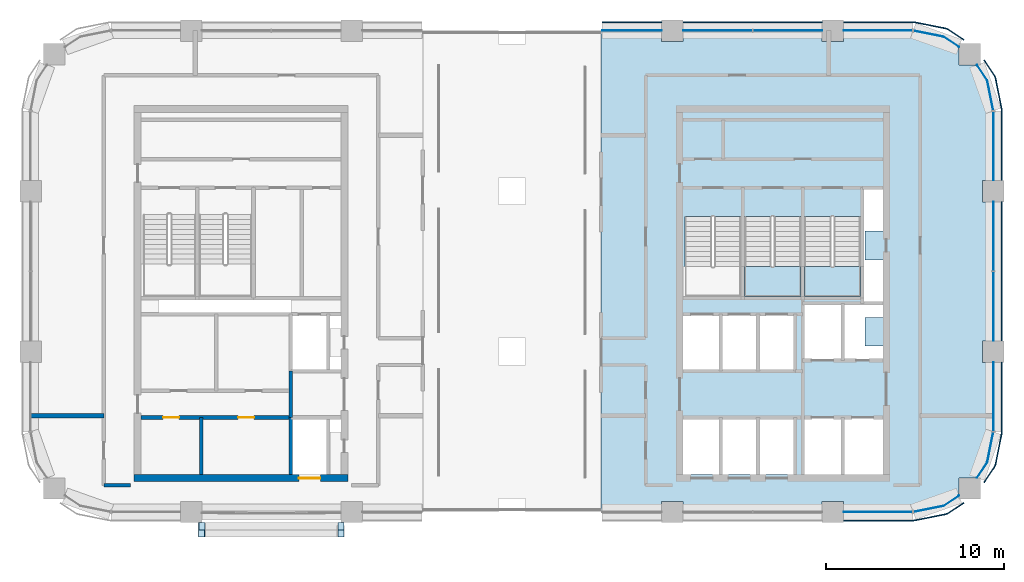
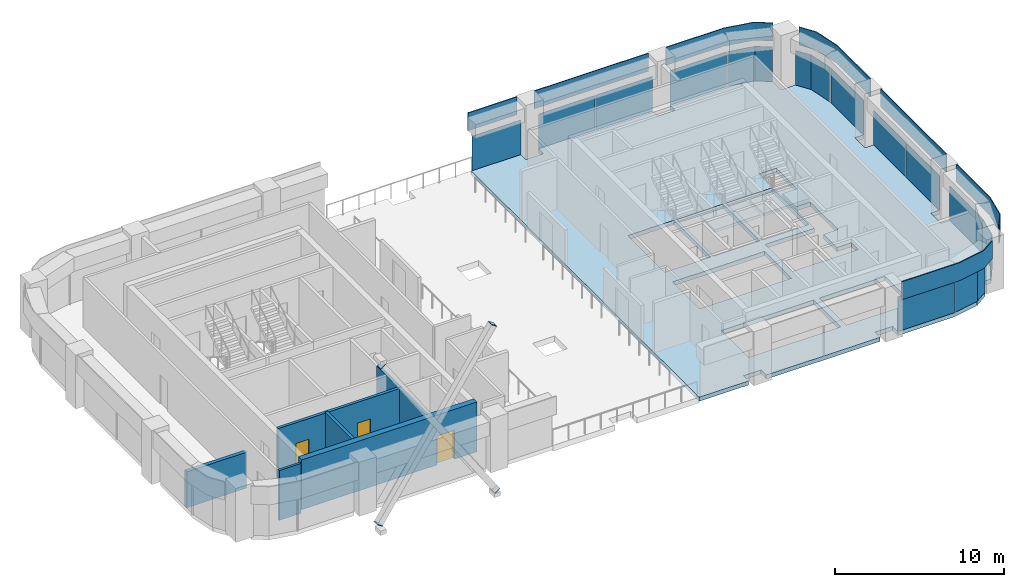
# One storey, part 5 of 11: 24 plates, 7 walls, 3 doors, 3 slabs, 3 openings, 9 elements without a shape of their own.
"""IFC4 building model written with IfcOpenShell, lengths in metres."""

from ifc_helpers import new_model, si_unit, direction, frame, frame_2d, origin, origin_2d, place, context, subcontext, project, spatial, polyline, rectangle, outline, extrude, material, layer, layer_set, type_object, element, fill, aggregate, save


model = new_model("IFC4")

# Units and contexts
model_context = context("Model", 3, precision=1e-05, world=origin(), true_north=direction((0.0, 1.0)))
body_context = subcontext(model_context, "Body", "Model", "MODEL_VIEW")
ifc_project = project(units=[si_unit("LENGTHUNIT", "METRE"), si_unit("AREAUNIT", "SQUARE_METRE"), si_unit("VOLUMEUNIT", "CUBIC_METRE"), si_unit("PLANEANGLEUNIT", "RADIAN"), si_unit("MASSUNIT", "GRAM", prefix="KILO")], contexts=[model_context])

# Site, building, storey
site_placement = place(None, origin())
site = spatial("IfcSite", under=ifc_project, at=site_placement, CompositionType="ELEMENT")
building_placement = place(site_placement, origin())
building = spatial("IfcBuilding", under=site, at=building_placement, Name="Tessera Arch", CompositionType="ELEMENT")
storey_placement = place(building_placement, frame((0.0, 0.0, 203.300048828125)))
storey = spatial("IfcBuildingStorey", under=building, at=storey_placement, Name="L48", CompositionType="ELEMENT", Elevation=203.300048828125)

# Curtain wall, plates
ifc_material_1 = material(Name="CW1 curtain wall")
curtain_wall_type_1 = type_object("IfcCurtainWallType", Name="CW1 curtain wall", PredefinedType="NOTDEFINED", material=ifc_material_1)
curtain_wall_1_placement = place(storey_placement, origin())
curtain_wall_1 = element("IfcCurtainWall", 1, at=curtain_wall_1_placement, inside=storey, type_object=curtain_wall_type_1, Name="CW1 curtain wall E54.27/1 L48", PredefinedType="NOTDEFINED")
ifc_material_2 = material(Name="Clear low-e glass", Category="glass")
ifc_material_3 = material(Name="Clear low-e glass", Category="glass")
ifc_layer_1 = layer(ifc_material_3, 0.028076171875)
ifc_layer_set_1 = layer_set([ifc_layer_1], Name="CW1 glass panel")
plate_type_1 = type_object("IfcPlateType", Name="CW1 glass panel", PredefinedType="CURTAIN_PANEL", material=ifc_layer_set_1)
plate_1_placement = place(storey_placement, frame((54.0, 38.534912109375, 0.0), z_axis=(0.0, 0.0, 1.0), x_axis=(0.0, 1.0, 0.0)))
plate_1 = element("IfcPlate", 2, at=plate_1_placement, type_object=plate_type_1, material=ifc_material_2, Name="CW1 glass panel E54.27/1 1.1.1", PredefinedType="CURTAIN_PANEL", context=body_context, shape_type="SweptSolid", body=[
    extrude(rectangle(XDim=3.8701171875, YDim=0.028076171875, at=origin_2d()), origin(), (0.0, 0.0, 1.0), 2.5),
])
plate_2_placement = place(storey_placement, frame((54.0, 42.465087890625, 0.0), z_axis=(0.0, 0.0, 1.0), x_axis=(0.0, 1.0, 0.0)))
plate_2 = element("IfcPlate", 3, at=plate_2_placement, type_object=plate_type_1, material=ifc_material_2, Name="CW1 glass panel E54.27/1 1.2.1", PredefinedType="CURTAIN_PANEL", context=body_context, shape_type="SweptSolid", body=[
    extrude(rectangle(XDim=3.8701171875, YDim=0.028076171875, at=origin_2d()), origin(), (0.0, 0.0, 1.0), 2.5),
])

curtain_wall_2_placement = place(storey_placement, origin())
curtain_wall_2 = element("IfcCurtainWall", 4, at=curtain_wall_2_placement, inside=storey, type_object=curtain_wall_type_1, Name="CW1 curtain wall N54.32/1 L48", PredefinedType="NOTDEFINED")
plate_3_placement = place(storey_placement, frame((42.465087890625, 54.0, 0.0), z_axis=(0.0, 0.0, 1.0), x_axis=(-1.0, 0.0, 0.0)))
plate_3 = element("IfcPlate", 5, at=plate_3_placement, type_object=plate_type_1, material=ifc_material_2, Name="CW1 glass panel N54.32/1 1.1.1", PredefinedType="CURTAIN_PANEL", context=body_context, shape_type="SweptSolid", body=[
    extrude(rectangle(XDim=3.8701171875, YDim=0.028076171875, at=origin_2d()), origin(), (0.0, 0.0, 1.0), 2.5),
])
plate_4_placement = place(storey_placement, frame((38.534912109375, 54.0, 0.0), z_axis=(0.0, 0.0, 1.0), x_axis=(-1.0, 0.0, 0.0)))
plate_4 = element("IfcPlate", 6, at=plate_4_placement, type_object=plate_type_1, material=ifc_material_2, Name="CW1 glass panel N54.32/1 1.2.1", PredefinedType="CURTAIN_PANEL", context=body_context, shape_type="SweptSolid", body=[
    extrude(rectangle(XDim=3.8701171875, YDim=0.028076171875, at=origin_2d()), origin(), (0.0, 0.0, 1.0), 2.5),
])

# Curtain wall, plate
curtain_wall_3_placement = place(storey_placement, origin())
curtain_wall_3 = element("IfcCurtainWall", 7, at=curtain_wall_3_placement, inside=storey, type_object=curtain_wall_type_1, Name="CW1 curtain wall N54.32/2 L48", PredefinedType="NOTDEFINED")
plate_5_placement = place(storey_placement, frame((33.72509765625, 54.0, 0.0), z_axis=(0.0, 0.0, 1.0), x_axis=(-1.0, 0.0, 0.0)))
plate_5 = element("IfcPlate", 8, at=plate_5_placement, type_object=plate_type_1, material=ifc_material_2, Name="CW1 glass panel N54.32/2 1.1.1", PredefinedType="CURTAIN_PANEL", context=body_context, shape_type="SweptSolid", body=[
    extrude(rectangle(XDim=3.35009765625, YDim=0.028076171875, at=origin_2d()), origin(), (0.0, 0.0, 1.0), 2.5),
])

# Plate
ifc_material_4 = material(Name="Pale anodised aluminium panel", Category="aluminium")
ifc_layer_2 = layer(ifc_material_4, 0.06005859375)
ifc_layer_set_2 = layer_set([ifc_layer_2], Name="CW1 spandrel panel")
plate_type_2 = type_object("IfcPlateType", Name="CW1 spandrel panel", PredefinedType="CURTAIN_PANEL", material=ifc_layer_set_2)
plate_6_placement = place(storey_placement, frame((54.47998046875, 40.5, 2.60009765625), z_axis=(0.0, 0.0, 1.0), x_axis=(0.0, 1.0, 0.0)))
plate_6 = element("IfcPlate", 9, at=plate_6_placement, type_object=plate_type_2, Name="CW1 spandrel panel E54.27/1", PredefinedType="CURTAIN_PANEL", context=body_context, shape_type="SweptSolid", body=[
    extrude(rectangle(XDim=7.800048828125, YDim=0.06005859375, at=origin_2d()), origin(), (0.0, 0.0, 1.0), 1.300048828125),
])

aggregate(curtain_wall_1, [plate_1, plate_2, plate_6])

plate_7_placement = place(storey_placement, frame((40.5, 54.47998046875, 2.60009765625), z_axis=(0.0, 0.0, 1.0), x_axis=(-1.0, 0.0, 0.0)))
plate_7 = element("IfcPlate", 10, at=plate_7_placement, type_object=plate_type_2, Name="CW1 spandrel panel N54.32/1", PredefinedType="CURTAIN_PANEL", context=body_context, shape_type="SweptSolid", body=[
    extrude(rectangle(XDim=7.800048828125, YDim=0.06005859375, at=origin_2d()), origin(), (0.0, 0.0, 1.0), 1.300048828125),
])

aggregate(curtain_wall_2, [plate_3, plate_4, plate_7])

plate_8_placement = place(storey_placement, frame((33.72509765625, 54.47998046875, 2.60009765625), z_axis=(0.0, 0.0, 1.0), x_axis=(-1.0, 0.0, 0.0)))
plate_8 = element("IfcPlate", 11, at=plate_8_placement, type_object=plate_type_2, Name="CW1 spandrel panel N54.32/2", PredefinedType="CURTAIN_PANEL", context=body_context, shape_type="SweptSolid", body=[
    extrude(rectangle(XDim=3.35009765625, YDim=0.06005859375, at=origin_2d()), origin(), (0.0, 0.0, 1.0), 1.300048828125),
])

aggregate(curtain_wall_3, [plate_5, plate_8])

# Curtain wall, plates
ifc_material_5 = material(Name="CW2 curtain wall")
curtain_wall_type_2 = type_object("IfcCurtainWallType", Name="CW2 curtain wall", PredefinedType="NOTDEFINED", material=ifc_material_5)
curtain_wall_4_placement = place(storey_placement, origin())
curtain_wall_4 = element("IfcCurtainWall", 12, at=curtain_wall_4_placement, inside=storey, type_object=curtain_wall_type_2, Name="CW2 curtain wall S27.32/2 L48", PredefinedType="NOTDEFINED")
ifc_material_6 = material(Name="Clear low-e glass", Category="glass")
ifc_layer_3 = layer(ifc_material_6, 0.028076171875)
ifc_layer_set_3 = layer_set([ifc_layer_3], Name="CW2 glass panel")
plate_type_3 = type_object("IfcPlateType", Name="CW2 glass panel", PredefinedType="CURTAIN_PANEL", material=ifc_layer_set_3)
plate_9_placement = place(storey_placement, frame((47.530029296875, 27.0, 0.0), z_axis=(0.0, 0.0, 1.0), x_axis=(1.0, 0.0, 0.0)))
plate_9 = element("IfcPlate", 13, at=plate_9_placement, type_object=plate_type_3, material=ifc_material_2, Name="CW2 glass panel S27.32/2 1.1", PredefinedType="CURTAIN_PANEL", context=body_context, shape_type="SweptSolid", body=[
    extrude(rectangle(XDim=3.860107421875, YDim=0.028076171875, at=origin_2d()), origin(), (0.0, 0.0, 1.0), 2.5),
])
plate_10_placement = place(storey_placement, origin())
plate_10 = element("IfcPlate", 14, at=plate_10_placement, type_object=plate_type_3, material=ifc_material_2, Name="CW2 curved glass panel S27.32/2 2.1", PredefinedType="CURTAIN_PANEL", context=body_context, shape_type="SweptSolid", body=[
    extrude(outline(polyline([(51.216552734375, 27.355712890625), (49.53662109375, 27.021484375), (49.5419921875, 26.994140625), (51.2275390625, 27.329345703125), (52.08984375, 27.905517578125), (52.07421875, 27.9287109375), (51.216552734375, 27.355712890625)])), origin(), (0.0, 0.0, 1.0), 2.5),
])

curtain_wall_5_placement = place(storey_placement, origin())
curtain_wall_5 = element("IfcCurtainWall", 15, at=curtain_wall_5_placement, inside=storey, type_object=curtain_wall_type_2, Name="CW2 curtain wall E54.27/0 L48", PredefinedType="NOTDEFINED")
plate_11_placement = place(storey_placement, frame((54.0, 33.469970703125, 0.0), z_axis=(0.0, 0.0, 1.0), x_axis=(0.0, 1.0, 0.0)))
plate_11 = element("IfcPlate", 16, at=plate_11_placement, type_object=plate_type_3, material=ifc_material_2, Name="CW2 glass panel E54.27/0 1.1", PredefinedType="CURTAIN_PANEL", context=body_context, shape_type="SweptSolid", body=[
    extrude(rectangle(XDim=3.860107421875, YDim=0.028076171875, at=origin_2d()), origin(), (0.0, 0.0, 1.0), 2.5),
])
plate_12_placement = place(storey_placement, origin())
plate_12 = element("IfcPlate", 17, at=plate_12_placement, type_object=plate_type_3, material=ifc_material_2, Name="CW2 curved glass panel E54.27/0 2.1", PredefinedType="CURTAIN_PANEL", context=body_context, shape_type="SweptSolid", body=[
    extrude(outline(polyline([(53.644287109375, 29.783447265625), (53.0712890625, 28.92578125), (53.094482421875, 28.91015625), (53.670654296875, 29.7724609375), (54.005859375, 31.4580078125), (53.978515625, 31.46337890625), (53.644287109375, 29.783447265625)])), origin(), (0.0, 0.0, 1.0), 2.5),
])

curtain_wall_6_placement = place(storey_placement, origin())
curtain_wall_6 = element("IfcCurtainWall", 18, at=curtain_wall_6_placement, inside=storey, type_object=curtain_wall_type_2, Name="CW2 curtain wall E54.27/2 L48", PredefinedType="NOTDEFINED")
plate_13_placement = place(storey_placement, frame((54.0, 47.530029296875, 0.0), z_axis=(0.0, 0.0, 1.0), x_axis=(0.0, 1.0, 0.0)))
plate_13 = element("IfcPlate", 19, at=plate_13_placement, type_object=plate_type_3, material=ifc_material_2, Name="CW2 glass panel E54.27/2 1.1", PredefinedType="CURTAIN_PANEL", context=body_context, shape_type="SweptSolid", body=[
    extrude(rectangle(XDim=3.860107421875, YDim=0.028076171875, at=origin_2d()), origin(), (0.0, 0.0, 1.0), 2.5),
])
plate_14_placement = place(storey_placement, origin())
plate_14 = element("IfcPlate", 20, at=plate_14_placement, type_object=plate_type_3, material=ifc_material_2, Name="CW2 curved glass panel E54.27/2 2.1", PredefinedType="CURTAIN_PANEL", context=body_context, shape_type="SweptSolid", body=[
    extrude(outline(polyline([(53.644287109375, 51.216552734375), (53.978515625, 49.53662109375), (54.005859375, 49.5419921875), (53.670654296875, 51.2275390625), (53.094482421875, 52.08984375), (53.0712890625, 52.07421875), (53.644287109375, 51.216552734375)])), origin(), (0.0, 0.0, 1.0), 2.5),
])

curtain_wall_7_placement = place(storey_placement, origin())
curtain_wall_7 = element("IfcCurtainWall", 21, at=curtain_wall_7_placement, inside=storey, type_object=curtain_wall_type_2, Name="CW2 curtain wall N54.32/0 L48", PredefinedType="NOTDEFINED")
plate_15_placement = place(storey_placement, frame((47.530029296875, 54.0, 0.0), z_axis=(0.0, 0.0, 1.0), x_axis=(-1.0, 0.0, 0.0)))
plate_15 = element("IfcPlate", 22, at=plate_15_placement, type_object=plate_type_3, material=ifc_material_2, Name="CW2 glass panel N54.32/0 1.1", PredefinedType="CURTAIN_PANEL", context=body_context, shape_type="SweptSolid", body=[
    extrude(rectangle(XDim=3.860107421875, YDim=0.028076171875, at=origin_2d()), origin(), (0.0, 0.0, 1.0), 2.5),
])
plate_16_placement = place(storey_placement, origin())
plate_16 = element("IfcPlate", 23, at=plate_16_placement, type_object=plate_type_3, material=ifc_material_2, Name="CW2 curved glass panel N54.32/0 2.1", PredefinedType="CURTAIN_PANEL", context=body_context, shape_type="SweptSolid", body=[
    extrude(outline(polyline([(51.216552734375, 53.644287109375), (52.07421875, 53.0712890625), (52.08984375, 53.094482421875), (51.2275390625, 53.670654296875), (49.5419921875, 54.005859375), (49.53662109375, 53.978515625), (51.216552734375, 53.644287109375)])), origin(), (0.0, 0.0, 1.0), 2.5),
])

# Plate
ifc_material_7 = material(Name="Pale anodised aluminium panel", Category="aluminium")
ifc_layer_4 = layer(ifc_material_7, 0.06005859375)
ifc_layer_set_4 = layer_set([ifc_layer_4], Name="CW2 spandrel panel")
plate_type_4 = type_object("IfcPlateType", Name="CW2 spandrel panel", PredefinedType="CURTAIN_PANEL", material=ifc_layer_set_4)
plate_17_placement = place(storey_placement, frame((0.0, 0.0, 2.599853515625)))
plate_17 = element("IfcPlate", 24, at=plate_17_placement, type_object=plate_type_4, Name="CW2 spandrel panel S27.32/2", PredefinedType="CURTAIN_PANEL", context=body_context, shape_type="SweptSolid", body=[
    extrude(outline(polyline([(49.499267578125, 26.550048828125), (45.60009765625, 26.550048828125), (45.60009765625, 26.489990234375), (49.500732421875, 26.489990234375), (49.550048828125, 26.492431640625), (49.598876953125, 26.499755859375), (51.322265625, 26.842529296875), (51.3701171875, 26.8544921875), (51.417236328125, 26.871337890625), (51.462646484375, 26.892578125), (51.5048828125, 26.91796875), (52.365234375, 27.4931640625), (52.33203125, 27.54296875), (51.47265625, 26.96875), (51.434326171875, 26.945556640625), (51.394287109375, 26.9267578125), (51.352783203125, 26.911865234375), (51.30908203125, 26.90087890625), (49.588623046875, 26.558837890625), (49.544189453125, 26.55224609375), (49.499267578125, 26.550048828125)])), origin(), (0.0, 0.0, 1.0), 1.300048828125),
])

aggregate(curtain_wall_4, [plate_9, plate_10, plate_17])

plate_18_placement = place(storey_placement, frame((0.0, 0.0, 2.599853515625)))
plate_18 = element("IfcPlate", 25, at=plate_18_placement, type_object=plate_type_4, Name="CW2 spandrel panel E54.27/0", PredefinedType="CURTAIN_PANEL", context=body_context, shape_type="SweptSolid", body=[
    extrude(outline(polyline([(54.03125, 29.52734375), (53.45703125, 28.66796875), (53.5068359375, 28.634765625), (54.08203125, 29.4951171875), (54.107421875, 29.537353515625), (54.128662109375, 29.582763671875), (54.1455078125, 29.6298828125), (54.157470703125, 29.677734375), (54.500244140625, 31.401123046875), (54.507568359375, 31.449951171875), (54.510009765625, 31.499267578125), (54.510009765625, 35.39990234375), (54.449951171875, 35.39990234375), (54.449951171875, 31.500732421875), (54.44775390625, 31.455810546875), (54.441162109375, 31.411376953125), (54.09912109375, 29.69091796875), (54.088134765625, 29.647216796875), (54.0732421875, 29.605712890625), (54.054443359375, 29.565673828125), (54.03125, 29.52734375)])), origin(), (0.0, 0.0, 1.0), 1.300048828125),
])

aggregate(curtain_wall_5, [plate_11, plate_12, plate_18])

plate_19_placement = place(storey_placement, frame((0.0, 0.0, 2.599853515625)))
plate_19 = element("IfcPlate", 26, at=plate_19_placement, type_object=plate_type_4, Name="CW2 spandrel panel E54.27/2", PredefinedType="CURTAIN_PANEL", context=body_context, shape_type="SweptSolid", body=[
    extrude(outline(polyline([(54.449951171875, 49.499267578125), (54.449951171875, 45.60009765625), (54.510009765625, 45.60009765625), (54.510009765625, 49.500732421875), (54.507568359375, 49.550048828125), (54.500244140625, 49.598876953125), (54.157470703125, 51.322265625), (54.1455078125, 51.3701171875), (54.128662109375, 51.417236328125), (54.107421875, 51.462646484375), (54.08203125, 51.5048828125), (53.5068359375, 52.365234375), (53.45703125, 52.33203125), (54.03125, 51.47265625), (54.054443359375, 51.434326171875), (54.0732421875, 51.394287109375), (54.088134765625, 51.352783203125), (54.09912109375, 51.30908203125), (54.441162109375, 49.588623046875), (54.44775390625, 49.544189453125), (54.449951171875, 49.499267578125)])), origin(), (0.0, 0.0, 1.0), 1.300048828125),
])

aggregate(curtain_wall_6, [plate_13, plate_14, plate_19])

plate_20_placement = place(storey_placement, frame((0.0, 0.0, 2.599853515625)))
plate_20 = element("IfcPlate", 27, at=plate_20_placement, type_object=plate_type_4, Name="CW2 spandrel panel N54.32/0", PredefinedType="CURTAIN_PANEL", context=body_context, shape_type="SweptSolid", body=[
    extrude(outline(polyline([(51.47265625, 54.03125), (52.33203125, 53.45703125), (52.365234375, 53.5068359375), (51.5048828125, 54.08203125), (51.462646484375, 54.107421875), (51.417236328125, 54.128662109375), (51.3701171875, 54.1455078125), (51.322265625, 54.157470703125), (49.598876953125, 54.500244140625), (49.550048828125, 54.507568359375), (49.500732421875, 54.510009765625), (45.60009765625, 54.510009765625), (45.60009765625, 54.449951171875), (49.499267578125, 54.449951171875), (49.544189453125, 54.44775390625), (49.588623046875, 54.441162109375), (51.30908203125, 54.09912109375), (51.352783203125, 54.088134765625), (51.394287109375, 54.0732421875), (51.434326171875, 54.054443359375), (51.47265625, 54.03125)])), origin(), (0.0, 0.0, 1.0), 1.300048828125),
])

aggregate(curtain_wall_7, [plate_15, plate_16, plate_20])

# Plates
ifc_material_8 = material(Name="Steel A572 Gr50", Category="steel")
ifc_layer_5 = layer(ifc_material_8, 0.02490234375)
ifc_layer_set_5 = layer_set([ifc_layer_5], Name="End plate HSS16x16x5/8")
plate_type_5 = type_object("IfcPlateType", Name="End plate HSS16x16x5/8", PredefinedType="SHEET", material=ifc_layer_set_5)
for number, where, z_axis, x_axis, name in (
    (28, (9.586181640625, 26.19677734375, -0.82080078125), (0.556953029875, 0.0, 0.830543991919), (0.0, 1.0, 0.0), "End plate HSS16x16x5/8 S27.0-0 A1 L48"),
    (29, (17.39990234375, 26.19677734375, 10.89990234375), (0.556953029875, 0.0, 0.830543991919), (0.0, 1.0, 0.0), "End plate HSS16x16x5/8 S27.0-0 A2 L48"),
    (30, (17.413818359375, 25.790283203125, -0.82080078125), (-0.556953029875, 0.0, 0.830543991919), (0.0, -1.0, 0.0), "End plate HSS16x16x5/8 S27.0-0 B1 L48"),
    (31, (9.60009765625, 25.790283203125, 10.89990234375), (-0.556953029875, 0.0, 0.830543991919), (0.0, -1.0, 0.0), "End plate HSS16x16x5/8 S27.0-0 B2 L48"),
):
    element("IfcPlate", number, at=place(storey_placement, frame(where, z_axis=z_axis, x_axis=x_axis)), inside=storey, type_object=plate_type_5, Name=name, PredefinedType="SHEET", context=body_context, shape_type="SweptSolid", body=[
        extrude(rectangle(XDim=0.406494140625, YDim=0.406494140625, at=origin_2d()), origin(), (0.0, 0.0, 1.0), 0.02490234375),
    ])

# Slab
ifc_material_9 = material(Name="Concrete C40/50", Category="concrete")
ifc_layer_6 = layer(ifc_material_9, 0.300048828125)
ifc_layer_set_6 = layer_set([ifc_layer_6], Name="Floor slab 300 Concrete C40/50")
slab_type_1 = type_object("IfcSlabType", Name="Floor slab 300 Concrete C40/50", PredefinedType="FLOOR", material=ifc_layer_set_6)
slab_1_placement = place(storey_placement, frame((0.0, 0.0, -0.300048828125)))
element("IfcSlab", 32, at=slab_1_placement, inside=storey, type_object=slab_type_1, Name="Floor slab L48 2", PredefinedType="FLOOR", context=body_context, shape_type="SweptSolid", body=[
    extrude(outline(polyline([(51.22216796875, 53.657470703125), (52.08203125, 53.0830078125), (52.08203125, 52.08203125), (53.0830078125, 52.08203125), (53.657470703125, 51.22216796875), (54.0, 49.5), (54.0, 45.60009765625), (53.39990234375, 45.60009765625), (53.39990234375, 44.39990234375), (54.0, 44.39990234375), (54.0, 36.60009765625), (53.39990234375, 36.60009765625), (53.39990234375, 35.39990234375), (54.0, 35.39990234375), (54.0, 31.5), (53.657470703125, 29.77783203125), (53.0830078125, 28.91796875), (52.08203125, 28.91796875), (52.08203125, 27.9169921875), (51.22216796875, 27.342529296875), (49.5, 27.0), (45.60009765625, 27.0), (45.60009765625, 27.60009765625), (44.39990234375, 27.60009765625), (44.39990234375, 27.0), (36.60009765625, 27.0), (36.60009765625, 27.60009765625), (35.39990234375, 27.60009765625), (35.39990234375, 27.0), (32.0, 27.0), (32.0, 54.0), (35.39990234375, 54.0), (35.39990234375, 53.39990234375), (36.60009765625, 53.39990234375), (36.60009765625, 54.0), (44.39990234375, 54.0), (44.39990234375, 53.39990234375), (45.60009765625, 53.39990234375), (45.60009765625, 54.0), (49.5, 54.0), (51.22216796875, 53.657470703125)]), holes=[polyline([(36.60009765625, 29.10009765625), (38.699951171875, 29.10009765625), (40.800048828125, 29.10009765625), (42.89990234375, 29.10009765625), (42.89990234375, 32.300048828125), (40.800048828125, 32.300048828125), (38.699951171875, 32.300048828125), (36.60009765625, 32.300048828125), (36.60009765625, 29.10009765625)]), polyline([(47.800048828125, 32.300048828125), (45.550048828125, 32.300048828125), (43.300048828125, 32.300048828125), (43.300048828125, 29.10009765625), (45.550048828125, 29.10009765625), (47.800048828125, 29.10009765625), (47.800048828125, 32.300048828125)]), polyline([(42.89990234375, 34.89990234375), (42.89990234375, 38.10009765625), (40.800048828125, 38.10009765625), (38.699951171875, 38.10009765625), (36.60009765625, 38.10009765625), (36.60009765625, 34.89990234375), (38.699951171875, 34.89990234375), (40.800048828125, 34.89990234375), (42.89990234375, 34.89990234375)]), polyline([(47.800048828125, 41.14990234375), (46.800048828125, 41.14990234375), (46.800048828125, 42.75), (47.800048828125, 42.75), (47.800048828125, 45.199951171875), (46.64990234375, 45.199951171875), (46.64990234375, 38.699951171875), (45.550048828125, 38.699951171875), (43.300048828125, 38.699951171875), (43.300048828125, 35.5), (45.550048828125, 35.5), (47.800048828125, 35.5), (47.800048828125, 36.300048828125), (46.800048828125, 36.300048828125), (46.800048828125, 37.89990234375), (47.800048828125, 37.89990234375), (47.800048828125, 38.699951171875), (47.800048828125, 41.14990234375)]), polyline([(36.699951171875, 43.570068359375), (36.699951171875, 39.199951171875), (39.85009765625, 39.199951171875), (39.85009765625, 43.570068359375), (38.330078125, 43.570068359375), (38.330078125, 43.580078125), (38.219970703125, 43.580078125), (38.219970703125, 43.570068359375), (36.699951171875, 43.570068359375)]), polyline([(40.050048828125, 39.199951171875), (43.199951171875, 39.199951171875), (43.199951171875, 43.570068359375), (41.679931640625, 43.570068359375), (41.679931640625, 43.580078125), (41.570068359375, 43.580078125), (41.570068359375, 43.570068359375), (40.050048828125, 43.570068359375), (40.050048828125, 39.199951171875)]), polyline([(43.39990234375, 43.570068359375), (43.39990234375, 39.199951171875), (46.550048828125, 39.199951171875), (46.550048828125, 43.570068359375), (45.030029296875, 43.570068359375), (45.030029296875, 43.580078125), (44.919921875, 43.580078125), (44.919921875, 43.570068359375), (43.39990234375, 43.570068359375)])]), origin(), (0.0, 0.0, 1.0), 0.300048828125),
])

# Stair, slab
ifc_material_10 = material(Name="Concrete C40/50", Category="concrete")
stair_type = type_object("IfcStairType", Name="Dogleg stair 1520", PredefinedType="HALF_TURN_STAIR", material=ifc_material_10)
stair_1_placement = place(storey_placement, origin())
stair_1 = element("IfcStair", 33, at=stair_1_placement, inside=storey, type_object=stair_type, Name="L48 S1b", PredefinedType="HALF_TURN_STAIR")
ifc_material_11 = material(Name="Concrete C40/50", Category="concrete")
ifc_layer_7 = layer(ifc_material_11, 0.300048828125)
ifc_layer_set_7 = layer_set([ifc_layer_7], Name="Stair landing 300")
slab_type_2 = type_object("IfcSlabType", Name="Stair landing 300", PredefinedType="LANDING", material=ifc_layer_set_7)
slab_2_placement = place(storey_placement, frame((0.0, 0.0, 1.75)))
slab_2 = element("IfcSlab", 34, at=slab_2_placement, type_object=slab_type_2, Name="S1b landing 1", PredefinedType="LANDING", context=body_context, shape_type="SweptSolid", body=[
    extrude(outline(polyline([(40.050048828125, 40.780029296875), (40.050048828125, 39.10009765625), (43.199951171875, 39.10009765625), (43.199951171875, 40.780029296875), (40.050048828125, 40.780029296875)])), origin(), (0.0, 0.0, 1.0), 0.199951171875),
])
aggregate(stair_1, [slab_2])

stair_2_placement = place(storey_placement, origin())
stair_2 = element("IfcStair", 35, at=stair_2_placement, inside=storey, type_object=stair_type, Name="L48 S1c", PredefinedType="HALF_TURN_STAIR")
slab_3_placement = place(storey_placement, frame((0.0, 0.0, 1.75)))
slab_3 = element("IfcSlab", 36, at=slab_3_placement, type_object=slab_type_2, Name="S1c landing 1", PredefinedType="LANDING", context=body_context, shape_type="SweptSolid", body=[
    extrude(outline(polyline([(43.39990234375, 40.780029296875), (43.39990234375, 39.10009765625), (46.550048828125, 39.10009765625), (46.550048828125, 40.780029296875), (43.39990234375, 40.780029296875)])), origin(), (0.0, 0.0, 1.0), 0.199951171875),
])
aggregate(stair_2, [slab_3])

# Walls
ifc_material_12 = material(Name="Gypsum board on steel stud", Category="steel")
ifc_layer_8 = layer(ifc_material_12, 0.125)
ifc_layer_set_8 = layer_set([ifc_layer_8], Name="Core partition 125 EI 60")
wall_type_1 = type_object("IfcWallType", Name="Core partition 125 EI 60", PredefinedType="PARTITIONING", material=ifc_layer_set_8)
wall_1_placement = place(storey_placement, frame((9.56005859375, 29.10009765625, 0.0), z_axis=(0.0, 0.0, 1.0), x_axis=(0.0, 1.0, 0.0)))
element("IfcWall", 37, at=wall_1_placement, inside=storey, type_object=wall_type_1, Name="L48 C2 partition wall 3", PredefinedType="PARTITIONING", context=body_context, shape_type="SweptSolid", body=[
    extrude(rectangle(XDim=3.199951171875, YDim=0.199951171875, at=frame_2d((1.60009765625, 0.0))), origin(), (0.0, 0.0, 1.0), 3.599853515625),
])
wall_2_placement = place(storey_placement, frame((14.60009765625, 32.300048828125, 0.0), z_axis=(0.0, 0.0, 1.0), x_axis=(0.0, 1.0, 0.0)))
element("IfcWall", 38, at=wall_2_placement, inside=storey, type_object=wall_type_1, Name="L48 C2 partition wall 7", PredefinedType="PARTITIONING", context=body_context, shape_type="SweptSolid", body=[
    extrude(rectangle(XDim=2.599853515625, YDim=0.199951171875, at=frame_2d((1.2998046875, 0.0))), origin(), (0.0, 0.0, 1.0), 3.599853515625),
])

# Wall, openings, doors
wall_3_placement = place(storey_placement, frame((6.199951171875, 32.300048828125, 0.0), z_axis=(0.0, 0.0, 1.0), x_axis=(1.0, 0.0, 0.0)))
wall_3 = element("IfcWall", 39, at=wall_3_placement, inside=storey, type_object=wall_type_1, Name="L48 C2 partition wall 13", PredefinedType="PARTITIONING", context=body_context, shape_type="SweptSolid", body=[
    extrude(rectangle(XDim=8.400146484375, YDim=0.199951171875, at=frame_2d((4.2001953125, 0.0))), origin(), (0.0, 0.0, 1.0), 3.599853515625),
])
opening_1_placement = place(wall_3_placement, frame((1.22998046875, 0.0, 0.0)))
opening_1 = element("IfcOpeningElement", 40, at=opening_1_placement, cuts=wall_3, Name="Opening L48-C32", PredefinedType="OPENING", context=body_context, shape_type="SweptSolid", body=[
    extrude(rectangle(XDim=0.89990234375, YDim=2.10009765625, at=frame_2d((0.449951171875, 1.050048828125))), frame((0.0, 0.10986328125, 0.0), z_axis=(0.0, -1.0, 0.0), x_axis=(1.0, 0.0, 0.0)), (0.0, 0.0, 1.0), 0.219970703125),
])
opening_2_placement = place(wall_3_placement, frame((5.429931640625, 0.0, 0.0)))
opening_2 = element("IfcOpeningElement", 41, at=opening_2_placement, cuts=wall_3, Name="Opening L48-C33", PredefinedType="OPENING", context=body_context, shape_type="SweptSolid", body=[
    extrude(rectangle(XDim=0.89990234375, YDim=2.10009765625, at=frame_2d((0.449951171875, 1.050048828125))), frame((0.0, 0.10986328125, 0.0), z_axis=(0.0, -1.0, 0.0), x_axis=(1.0, 0.0, 0.0)), (0.0, 0.0, 1.0), 0.219970703125),
])
ifc_material_13 = material(Name="Steel door leaf", Category="steel")
door_type_1 = type_object("IfcDoorType", Name="Store door FD30S 900 x 2100", OperationType="SINGLE_SWING_LEFT", PredefinedType="DOOR", material=ifc_material_13)
door_1_placement = place(opening_1_placement, origin())
door_1 = element("IfcDoor", 42, at=door_1_placement, inside=storey, type_object=door_type_1, Name="L48 C2 door 13 C32 type D09", OperationType="SINGLE_SWING_LEFT", OverallHeight=2.10009765625, OverallWidth=0.89990234375, PredefinedType="DOOR", context=body_context, shape_type="SweptSolid", body=[
    extrude(rectangle(XDim=0.89990234375, YDim=2.10009765625, at=frame_2d((0.449951171875, 1.050048828125))), frame((0.0, 0.02490234375, 0.0), z_axis=(0.0, -1.0, 0.0), x_axis=(1.0, 0.0, 0.0)), (0.0, 0.0, 1.0), 0.050048828125),
])
fill(opening_1, door_1)
door_2_placement = place(opening_2_placement, origin())
door_2 = element("IfcDoor", 43, at=door_2_placement, inside=storey, type_object=door_type_1, Name="L48 C2 door 14 C33 type D09", OperationType="SINGLE_SWING_RIGHT", OverallHeight=2.10009765625, OverallWidth=0.89990234375, PredefinedType="DOOR", context=body_context, shape_type="SweptSolid", body=[
    extrude(rectangle(XDim=0.89990234375, YDim=2.10009765625, at=frame_2d((0.449951171875, 1.050048828125))), frame((0.0, 0.02490234375, 0.0), z_axis=(0.0, -1.0, 0.0), x_axis=(1.0, 0.0, 0.0)), (0.0, 0.0, 1.0), 0.050048828125),
])
fill(opening_2, door_2)

# Wall, opening, door
ifc_material_14 = material(Name="Concrete C50/60", Category="concrete")
ifc_layer_9 = layer(ifc_material_14, 0.39990234375)
ifc_layer_set_9 = layer_set([ifc_layer_9], Name="Core shell wall 400 C50-60")
wall_type_2 = type_object("IfcWallType", Name="Core shell wall 400 C50-60", PredefinedType="SHEAR", material=ifc_layer_set_9)
wall_4_placement = place(storey_placement, frame((5.800048828125, 28.89990234375, 0.0), z_axis=(0.0, 0.0, 1.0), x_axis=(1.0, 0.0, 0.0)))
wall_4 = element("IfcWall", 44, at=wall_4_placement, inside=storey, type_object=wall_type_2, Name="L48 C2 core wall S", PredefinedType="SHEAR", context=body_context, shape_type="SweptSolid", body=[
    extrude(rectangle(XDim=12.0, YDim=0.39990234375, at=frame_2d((6.0, 0.0))), origin(), (0.0, 0.0, 1.0), 3.599853515625),
])
opening_3_placement = place(wall_4_placement, frame((9.25, 0.0, 0.0)))
opening_3 = element("IfcOpeningElement", 45, at=opening_3_placement, cuts=wall_4, Name="Opening L48-C20", PredefinedType="OPENING", context=body_context, shape_type="SweptSolid", body=[
    extrude(rectangle(XDim=1.199951171875, YDim=2.10009765625, at=frame_2d((0.60009765625, 1.050048828125))), frame((0.0, 0.2099609375, 0.0), z_axis=(0.0, -1.0, 0.0), x_axis=(1.0, 0.0, 0.0)), (0.0, 0.0, 1.0), 0.419921875),
])
ifc_material_15 = material(Name="Stainless steel AISI 304", Category="steel")
door_type_2 = type_object("IfcDoorType", Name="Sliding landing door 1200 x 2100", OperationType="SLIDING_TO_LEFT", PredefinedType="DOOR", material=ifc_material_15)
door_3_placement = place(opening_3_placement, origin())
door_3 = element("IfcDoor", 46, at=door_3_placement, inside=storey, type_object=door_type_2, Name="L48 HR7 lift landing door C20 type LD", OperationType="SLIDING_TO_LEFT", OverallHeight=2.10009765625, OverallWidth=1.199951171875, PredefinedType="DOOR", context=body_context, shape_type="SweptSolid", body=[
    extrude(rectangle(XDim=1.199951171875, YDim=2.10009765625, at=frame_2d((0.60009765625, 1.050048828125))), frame((0.0, 0.02490234375, 0.0), z_axis=(0.0, -1.0, 0.0), x_axis=(1.0, 0.0, 0.0)), (0.0, 0.0, 1.0), 0.050048828125),
])
fill(opening_3, door_3)

# Walls
ifc_material_16 = material(Name="Gypsum board on deep steel stud with mineral wool", Category="steel")
ifc_layer_10 = layer(ifc_material_16, 0.175048828125)
ifc_layer_set_10 = layer_set([ifc_layer_10], Name="Corridor wall 175 EI 60")
wall_type_3 = type_object("IfcWallType", Name="Corridor wall 175 EI 60", PredefinedType="PARTITIONING", material=ifc_layer_set_10)
wall_5_placement = place(storey_placement, frame((4.10009765625, 28.5, 0.0), z_axis=(0.0, 0.0, 1.0), x_axis=(1.0, 0.0, 0.0)))
element("IfcWall", 47, at=wall_5_placement, inside=storey, type_object=wall_type_3, Name="L48 partition 1", PredefinedType="PARTITIONING", context=body_context, shape_type="SweptSolid", body=[
    extrude(rectangle(XDim=1.5, YDim=0.175048828125, at=frame_2d((0.75, 0.0))), origin(), (0.0, 0.0, 1.0), 3.599853515625),
])
ifc_material_17 = material(Name="Double gypsum board on twin steel stud with acoustic mineral wool", Category="steel")
ifc_layer_11 = layer(ifc_material_17, 0.25)
ifc_layer_set_11 = layer_set([ifc_layer_11], Name="Party wall 250 EI 60")
wall_type_4 = type_object("IfcWallType", Name="Party wall 250 EI 60", PredefinedType="PARTITIONING", material=ifc_layer_set_11)
wall_6_placement = place(storey_placement, frame((0.0, 32.39990234375, 0.0), z_axis=(0.0, 0.0, 1.0), x_axis=(1.0, 0.0, 0.0)))
element("IfcWall", 48, at=wall_6_placement, inside=storey, type_object=wall_type_4, Name="L48 partition 17", PredefinedType="PARTITIONING", context=body_context, shape_type="SweptSolid", body=[
    extrude(rectangle(XDim=4.10009765625, YDim=0.25, at=frame_2d((2.050048828125, 0.0))), origin(), (0.0, 0.0, 1.0), 2.599853515625),
])
ifc_material_18 = material(Name="Concrete C40/50", Category="concrete")
ifc_layer_12 = layer(ifc_material_18, 0.199951171875)
ifc_layer_set_12 = layer_set([ifc_layer_12], Name="Shaft wall 200 EI 120")
wall_type_5 = type_object("IfcWallType", Name="Shaft wall 200 EI 120", PredefinedType="SOLIDWALL", material=ifc_layer_set_12)
wall_7_placement = place(storey_placement, frame((14.60009765625, 29.10009765625, 0.0), z_axis=(0.0, 0.0, 1.0), x_axis=(0.0, 1.0, 0.0)))
element("IfcWall", 49, at=wall_7_placement, inside=storey, type_object=wall_type_5, Name="L48 C2 shaft wall 8", PredefinedType="SOLIDWALL", context=body_context, shape_type="SweptSolid", body=[
    extrude(rectangle(XDim=3.199951171875, YDim=0.199951171875, at=frame_2d((1.60009765625, 0.0))), origin(), (0.0, 0.0, 1.0), 3.599853515625),
])

save(model, "model.ifc")
